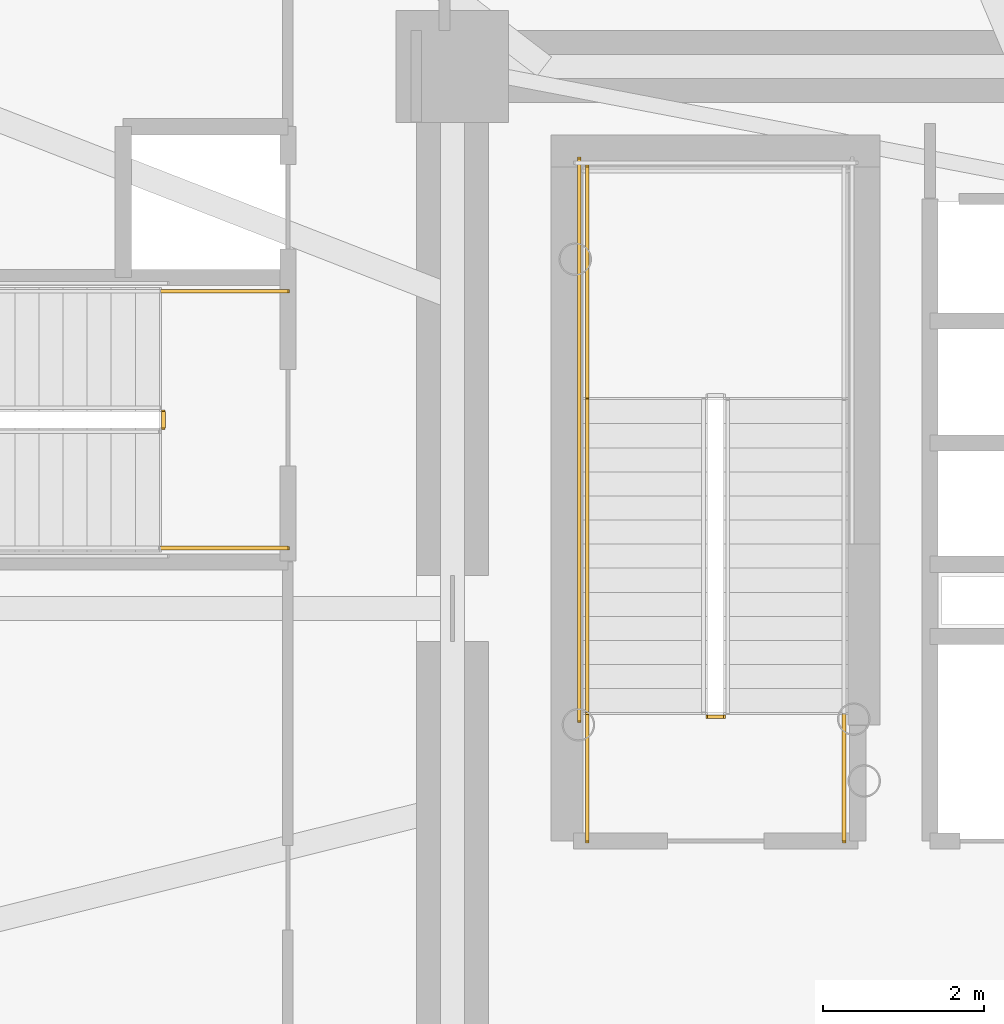
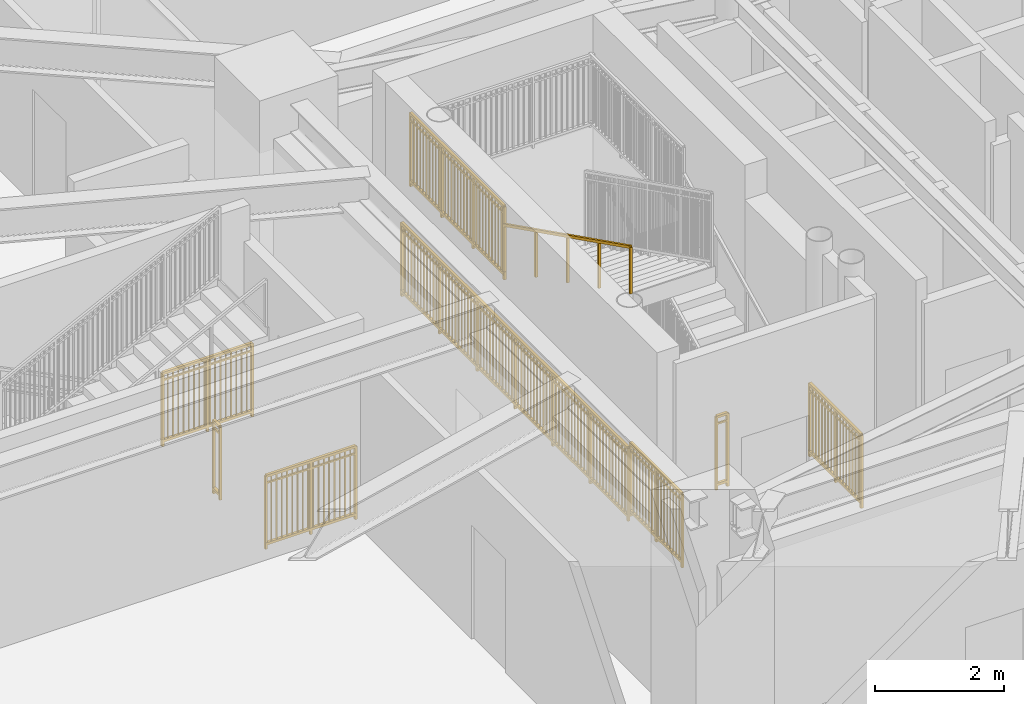
# One storey, part 20 of 28: 9 railings.
"""IFC4 building model written with IfcOpenShell, lengths in metres."""

from ifc_helpers import new_model, si_unit, direction, frame, origin, origin_2d, place, context, subcontext, project, spatial, rectangle, extrude, source, transform, mapped, material, type_object, element, save


model = new_model("IFC4")

# Units and contexts
model_context = context("Model", 3, precision=1e-05, world=origin(), true_north=direction((0.0, 1.0)))
body_context = subcontext(model_context, "Body", "Model", "MODEL_VIEW")
ifc_project = project(units=[si_unit("LENGTHUNIT", "METRE"), si_unit("AREAUNIT", "SQUARE_METRE"), si_unit("VOLUMEUNIT", "CUBIC_METRE"), si_unit("PLANEANGLEUNIT", "RADIAN"), si_unit("MASSUNIT", "GRAM", prefix="KILO")], contexts=[model_context])

# Site, building, storey
site_placement = place(None, origin())
site = spatial("IfcSite", under=ifc_project, at=site_placement, CompositionType="ELEMENT")
building_placement = place(site_placement, origin())
building = spatial("IfcBuilding", under=site, at=building_placement, Name="Linh Dai School and Residence Tower", CompositionType="ELEMENT")
storey_placement = place(building_placement, frame((0.0, 0.0, 36.60009765625)))
storey = spatial("IfcBuildingStorey", under=building, at=storey_placement, Name="L08", CompositionType="ELEMENT", Elevation=36.60009765625)

# Railings
ifc_material_1 = material(Name="Structural Steel S355JR", Category="steel")
railing_type_1 = type_object("IfcRailingType", Name="RL-ST-GUARD-1400", PredefinedType="GUARDRAIL", material=ifc_material_1)
shared_shape_1 = source(origin(), body_context, "Body", "SweptSolid", [
    extrude(rectangle(XDim=0.048095703125, YDim=0.048095703125, at=origin_2d()), frame((0.0, 0.0, 1.3759765625), z_axis=(-1.0, 0.0, 0.0), x_axis=(0.0, -1.0, 0.0)), (0.0, 0.0, 1.0), 0.199951171875),
    extrude(rectangle(XDim=0.048095703125, YDim=0.048095703125, at=origin_2d()), frame((0.0, 0.0, 0.10009765625), z_axis=(-1.0, 0.0, 0.0), x_axis=(0.0, -1.0, 0.0)), (0.0, 0.0, 1.0), 0.199951171875),
    extrude(rectangle(XDim=0.030029296875, YDim=0.030029296875, at=origin_2d()), frame((0.0, 0.0, 1.239990234375), z_axis=(-1.0, 0.0, 0.0), x_axis=(0.0, -1.0, 0.0)), (0.0, 0.0, 1.0), 0.199951171875),
    extrude(rectangle(XDim=0.0419921875, YDim=0.0419921875, at=origin_2d()), origin(), (0.0, 0.0, 1.0), 1.3759765625),
    extrude(rectangle(XDim=0.0419921875, YDim=0.0419921875, at=origin_2d()), frame((-0.199951171875, 0.0, 0.0)), (0.0, 0.0, 1.0), 1.3759765625),
])
railing_1_placement = place(storey_placement, frame((29.429931640625, 25.64990234375, 0.0)))
element("IfcRailing", 1, at=railing_1_placement, inside=storey, type_object=railing_type_1, Name="L08 ST1 stair guard 7", PredefinedType="GUARDRAIL", context=body_context, shape_type="MappedRepresentation", body=[
    mapped(shared_shape_1, transform((0.0, 0.0, 0.0), x_axis=(1.0, 0.0, 0.0), y_axis=(0.0, 1.0, 0.0), z_axis=(0.0, 0.0, 1.0), scale=1.0)),
])
shared_shape_2 = source(origin(), body_context, "Body", "SweptSolid", [
    extrude(rectangle(XDim=0.048095703125, YDim=0.048095703125, at=origin_2d()), frame((0.0, 0.0, 1.3759765625), z_axis=(0.0, 1.0, 0.0), x_axis=(-1.0, 0.0, 0.0)), (0.0, 0.0, 1.0), 1.599853515625),
    extrude(rectangle(XDim=0.048095703125, YDim=0.048095703125, at=origin_2d()), frame((0.0, 0.0, 0.10009765625), z_axis=(0.0, 1.0, 0.0), x_axis=(-1.0, 0.0, 0.0)), (0.0, 0.0, 1.0), 1.599853515625),
    extrude(rectangle(XDim=0.030029296875, YDim=0.030029296875, at=origin_2d()), frame((0.0, 0.0, 1.239990234375), z_axis=(0.0, 1.0, 0.0), x_axis=(-1.0, 0.0, 0.0)), (0.0, 0.0, 1.0), 1.599853515625),
    extrude(rectangle(XDim=0.02001953125, YDim=0.02001953125, at=origin_2d()), frame((0.0, 0.093994140625, 0.10009765625)), (0.0, 0.0, 1.0), 1.251708984375),
    extrude(rectangle(XDim=0.02001953125, YDim=0.02001953125, at=origin_2d()), frame((0.0, 0.188232421875, 0.10009765625)), (0.0, 0.0, 1.0), 1.251708984375),
    extrude(rectangle(XDim=0.02001953125, YDim=0.02001953125, at=origin_2d()), frame((0.0, 0.2822265625, 0.10009765625)), (0.0, 0.0, 1.0), 1.251708984375),
    extrude(rectangle(XDim=0.02001953125, YDim=0.02001953125, at=origin_2d()), frame((0.0, 0.37646484375, 0.10009765625)), (0.0, 0.0, 1.0), 1.251708984375),
    extrude(rectangle(XDim=0.02001953125, YDim=0.02001953125, at=origin_2d()), frame((0.0, 0.470458984375, 0.10009765625)), (0.0, 0.0, 1.0), 1.251708984375),
    extrude(rectangle(XDim=0.02001953125, YDim=0.02001953125, at=origin_2d()), frame((0.0, 0.564697265625, 0.10009765625)), (0.0, 0.0, 1.0), 1.251708984375),
    extrude(rectangle(XDim=0.02001953125, YDim=0.02001953125, at=origin_2d()), frame((0.0, 0.65869140625, 0.10009765625)), (0.0, 0.0, 1.0), 1.251708984375),
    extrude(rectangle(XDim=0.02001953125, YDim=0.02001953125, at=origin_2d()), frame((0.0, 0.7529296875, 0.10009765625)), (0.0, 0.0, 1.0), 1.251708984375),
    extrude(rectangle(XDim=0.02001953125, YDim=0.02001953125, at=origin_2d()), frame((0.0, 0.846923828125, 0.10009765625)), (0.0, 0.0, 1.0), 1.251708984375),
    extrude(rectangle(XDim=0.02001953125, YDim=0.02001953125, at=origin_2d()), frame((0.0, 0.941162109375, 0.10009765625)), (0.0, 0.0, 1.0), 1.251708984375),
    extrude(rectangle(XDim=0.02001953125, YDim=0.02001953125, at=origin_2d()), frame((0.0, 1.03515625, 0.10009765625)), (0.0, 0.0, 1.0), 1.251708984375),
    extrude(rectangle(XDim=0.02001953125, YDim=0.02001953125, at=origin_2d()), frame((0.0, 1.12939453125, 0.10009765625)), (0.0, 0.0, 1.0), 1.251708984375),
    extrude(rectangle(XDim=0.02001953125, YDim=0.02001953125, at=origin_2d()), frame((0.0, 1.223388671875, 0.10009765625)), (0.0, 0.0, 1.0), 1.251708984375),
    extrude(rectangle(XDim=0.02001953125, YDim=0.02001953125, at=origin_2d()), frame((0.0, 1.317626953125, 0.10009765625)), (0.0, 0.0, 1.0), 1.251708984375),
    extrude(rectangle(XDim=0.02001953125, YDim=0.02001953125, at=origin_2d()), frame((0.0, 1.41162109375, 0.10009765625)), (0.0, 0.0, 1.0), 1.251708984375),
    extrude(rectangle(XDim=0.02001953125, YDim=0.02001953125, at=origin_2d()), frame((0.0, 1.505859375, 0.10009765625)), (0.0, 0.0, 1.0), 1.251708984375),
    extrude(rectangle(XDim=0.0419921875, YDim=0.0419921875, at=origin_2d()), origin(), (0.0, 0.0, 1.0), 1.3759765625),
    extrude(rectangle(XDim=0.0419921875, YDim=0.0419921875, at=origin_2d()), frame((0.0, 0.7998046875, 0.0)), (0.0, 0.0, 1.0), 1.3759765625),
    extrude(rectangle(XDim=0.0419921875, YDim=0.0419921875, at=origin_2d()), frame((0.0, 1.599853515625, 0.0)), (0.0, 0.0, 1.0), 1.3759765625),
])
for number, where, name in (
    (2, (30.929931640625, 24.10009765625, 0.0), "L08 ST1 stair guard 8"),
    (3, (27.72998046875, 24.10009765625, 0.0), "L08 ST1 stair guard 9"),
):
    element("IfcRailing", number, at=place(storey_placement, frame(where)), inside=storey, type_object=railing_type_1, Name=name, PredefinedType="GUARDRAIL", context=body_context, shape_type="MappedRepresentation", body=[
        mapped(shared_shape_2, transform((0.0, 0.0, 0.0), x_axis=(1.0, 0.0, 0.0), y_axis=(0.0, 1.0, 0.0), z_axis=(0.0, 0.0, 1.0), scale=1.0)),
    ])
shared_shape_3 = source(origin(), body_context, "Body", "SweptSolid", [
    extrude(rectangle(XDim=0.048095703125, YDim=0.048095703125, at=origin_2d()), frame((0.0, 0.0, 1.3759765625), z_axis=(0.0, 1.0, 0.0), x_axis=(-1.0, 0.0, 0.0)), (0.0, 0.0, 1.0), 7.0),
    extrude(rectangle(XDim=0.048095703125, YDim=0.048095703125, at=origin_2d()), frame((0.0, 0.0, 0.10009765625), z_axis=(0.0, 1.0, 0.0), x_axis=(-1.0, 0.0, 0.0)), (0.0, 0.0, 1.0), 7.0),
    extrude(rectangle(XDim=0.030029296875, YDim=0.030029296875, at=origin_2d()), frame((0.0, 0.0, 1.239990234375), z_axis=(0.0, 1.0, 0.0), x_axis=(-1.0, 0.0, 0.0)), (0.0, 0.0, 1.0), 7.0),
    extrude(rectangle(XDim=0.02001953125, YDim=0.02001953125, at=origin_2d()), frame((0.0, 0.09716796875, 0.10009765625)), (0.0, 0.0, 1.0), 1.251708984375),
    extrude(rectangle(XDim=0.02001953125, YDim=0.02001953125, at=origin_2d()), frame((0.0, 0.1943359375, 0.10009765625)), (0.0, 0.0, 1.0), 1.251708984375),
    extrude(rectangle(XDim=0.02001953125, YDim=0.02001953125, at=origin_2d()), frame((0.0, 0.291748046875, 0.10009765625)), (0.0, 0.0, 1.0), 1.251708984375),
    extrude(rectangle(XDim=0.02001953125, YDim=0.02001953125, at=origin_2d()), frame((0.0, 0.388916015625, 0.10009765625)), (0.0, 0.0, 1.0), 1.251708984375),
    extrude(rectangle(XDim=0.02001953125, YDim=0.02001953125, at=origin_2d()), frame((0.0, 0.486083984375, 0.10009765625)), (0.0, 0.0, 1.0), 1.251708984375),
    extrude(rectangle(XDim=0.02001953125, YDim=0.02001953125, at=origin_2d()), frame((0.0, 0.583251953125, 0.10009765625)), (0.0, 0.0, 1.0), 1.251708984375),
    extrude(rectangle(XDim=0.02001953125, YDim=0.02001953125, at=origin_2d()), frame((0.0, 0.6806640625, 0.10009765625)), (0.0, 0.0, 1.0), 1.251708984375),
    extrude(rectangle(XDim=0.02001953125, YDim=0.02001953125, at=origin_2d()), frame((0.0, 0.77783203125, 0.10009765625)), (0.0, 0.0, 1.0), 1.251708984375),
    extrude(rectangle(XDim=0.02001953125, YDim=0.02001953125, at=origin_2d()), frame((0.0, 0.875, 0.10009765625)), (0.0, 0.0, 1.0), 1.251708984375),
    extrude(rectangle(XDim=0.02001953125, YDim=0.02001953125, at=origin_2d()), frame((0.0, 0.97216796875, 0.10009765625)), (0.0, 0.0, 1.0), 1.251708984375),
    extrude(rectangle(XDim=0.02001953125, YDim=0.02001953125, at=origin_2d()), frame((0.0, 1.0693359375, 0.10009765625)), (0.0, 0.0, 1.0), 1.251708984375),
    extrude(rectangle(XDim=0.02001953125, YDim=0.02001953125, at=origin_2d()), frame((0.0, 1.263916015625, 0.10009765625)), (0.0, 0.0, 1.0), 1.251708984375),
    extrude(rectangle(XDim=0.02001953125, YDim=0.02001953125, at=origin_2d()), frame((0.0, 1.361083984375, 0.10009765625)), (0.0, 0.0, 1.0), 1.251708984375),
    extrude(rectangle(XDim=0.02001953125, YDim=0.02001953125, at=origin_2d()), frame((0.0, 1.458251953125, 0.10009765625)), (0.0, 0.0, 1.0), 1.251708984375),
    extrude(rectangle(XDim=0.02001953125, YDim=0.02001953125, at=origin_2d()), frame((0.0, 1.5556640625, 0.10009765625)), (0.0, 0.0, 1.0), 1.251708984375),
    extrude(rectangle(XDim=0.02001953125, YDim=0.02001953125, at=origin_2d()), frame((0.0, 1.65283203125, 0.10009765625)), (0.0, 0.0, 1.0), 1.251708984375),
    extrude(rectangle(XDim=0.02001953125, YDim=0.02001953125, at=origin_2d()), frame((0.0, 1.75, 0.10009765625)), (0.0, 0.0, 1.0), 1.251708984375),
    extrude(rectangle(XDim=0.02001953125, YDim=0.02001953125, at=origin_2d()), frame((0.0, 1.84716796875, 0.10009765625)), (0.0, 0.0, 1.0), 1.251708984375),
    extrude(rectangle(XDim=0.02001953125, YDim=0.02001953125, at=origin_2d()), frame((0.0, 1.9443359375, 0.10009765625)), (0.0, 0.0, 1.0), 1.251708984375),
    extrude(rectangle(XDim=0.02001953125, YDim=0.02001953125, at=origin_2d()), frame((0.0, 2.041748046875, 0.10009765625)), (0.0, 0.0, 1.0), 1.251708984375),
    extrude(rectangle(XDim=0.02001953125, YDim=0.02001953125, at=origin_2d()), frame((0.0, 2.138916015625, 0.10009765625)), (0.0, 0.0, 1.0), 1.251708984375),
    extrude(rectangle(XDim=0.02001953125, YDim=0.02001953125, at=origin_2d()), frame((0.0, 2.236083984375, 0.10009765625)), (0.0, 0.0, 1.0), 1.251708984375),
    extrude(rectangle(XDim=0.02001953125, YDim=0.02001953125, at=origin_2d()), frame((0.0, 2.4306640625, 0.10009765625)), (0.0, 0.0, 1.0), 1.251708984375),
    extrude(rectangle(XDim=0.02001953125, YDim=0.02001953125, at=origin_2d()), frame((0.0, 2.52783203125, 0.10009765625)), (0.0, 0.0, 1.0), 1.251708984375),
    extrude(rectangle(XDim=0.02001953125, YDim=0.02001953125, at=origin_2d()), frame((0.0, 2.625, 0.10009765625)), (0.0, 0.0, 1.0), 1.251708984375),
    extrude(rectangle(XDim=0.02001953125, YDim=0.02001953125, at=origin_2d()), frame((0.0, 2.72216796875, 0.10009765625)), (0.0, 0.0, 1.0), 1.251708984375),
    extrude(rectangle(XDim=0.02001953125, YDim=0.02001953125, at=origin_2d()), frame((0.0, 2.8193359375, 0.10009765625)), (0.0, 0.0, 1.0), 1.251708984375),
    extrude(rectangle(XDim=0.02001953125, YDim=0.02001953125, at=origin_2d()), frame((0.0, 2.916748046875, 0.10009765625)), (0.0, 0.0, 1.0), 1.251708984375),
    extrude(rectangle(XDim=0.02001953125, YDim=0.02001953125, at=origin_2d()), frame((0.0, 3.013916015625, 0.10009765625)), (0.0, 0.0, 1.0), 1.251708984375),
    extrude(rectangle(XDim=0.02001953125, YDim=0.02001953125, at=origin_2d()), frame((0.0, 3.111083984375, 0.10009765625)), (0.0, 0.0, 1.0), 1.251708984375),
    extrude(rectangle(XDim=0.02001953125, YDim=0.02001953125, at=origin_2d()), frame((0.0, 3.208251953125, 0.10009765625)), (0.0, 0.0, 1.0), 1.251708984375),
    extrude(rectangle(XDim=0.02001953125, YDim=0.02001953125, at=origin_2d()), frame((0.0, 3.3056640625, 0.10009765625)), (0.0, 0.0, 1.0), 1.251708984375),
    extrude(rectangle(XDim=0.02001953125, YDim=0.02001953125, at=origin_2d()), frame((0.0, 3.40283203125, 0.10009765625)), (0.0, 0.0, 1.0), 1.251708984375),
    extrude(rectangle(XDim=0.02001953125, YDim=0.02001953125, at=origin_2d()), frame((0.0, 3.59716796875, 0.10009765625)), (0.0, 0.0, 1.0), 1.251708984375),
    extrude(rectangle(XDim=0.02001953125, YDim=0.02001953125, at=origin_2d()), frame((0.0, 3.6943359375, 0.10009765625)), (0.0, 0.0, 1.0), 1.251708984375),
    extrude(rectangle(XDim=0.02001953125, YDim=0.02001953125, at=origin_2d()), frame((0.0, 3.791748046875, 0.10009765625)), (0.0, 0.0, 1.0), 1.251708984375),
    extrude(rectangle(XDim=0.02001953125, YDim=0.02001953125, at=origin_2d()), frame((0.0, 3.888916015625, 0.10009765625)), (0.0, 0.0, 1.0), 1.251708984375),
    extrude(rectangle(XDim=0.02001953125, YDim=0.02001953125, at=origin_2d()), frame((0.0, 3.986083984375, 0.10009765625)), (0.0, 0.0, 1.0), 1.251708984375),
    extrude(rectangle(XDim=0.02001953125, YDim=0.02001953125, at=origin_2d()), frame((0.0, 4.083251953125, 0.10009765625)), (0.0, 0.0, 1.0), 1.251708984375),
    extrude(rectangle(XDim=0.02001953125, YDim=0.02001953125, at=origin_2d()), frame((0.0, 4.1806640625, 0.10009765625)), (0.0, 0.0, 1.0), 1.251708984375),
    extrude(rectangle(XDim=0.02001953125, YDim=0.02001953125, at=origin_2d()), frame((0.0, 4.27783203125, 0.10009765625)), (0.0, 0.0, 1.0), 1.251708984375),
    extrude(rectangle(XDim=0.02001953125, YDim=0.02001953125, at=origin_2d()), frame((0.0, 4.375, 0.10009765625)), (0.0, 0.0, 1.0), 1.251708984375),
    extrude(rectangle(XDim=0.02001953125, YDim=0.02001953125, at=origin_2d()), frame((0.0, 4.47216796875, 0.10009765625)), (0.0, 0.0, 1.0), 1.251708984375),
    extrude(rectangle(XDim=0.02001953125, YDim=0.02001953125, at=origin_2d()), frame((0.0, 4.5693359375, 0.10009765625)), (0.0, 0.0, 1.0), 1.251708984375),
    extrude(rectangle(XDim=0.02001953125, YDim=0.02001953125, at=origin_2d()), frame((0.0, 4.763916015625, 0.10009765625)), (0.0, 0.0, 1.0), 1.251708984375),
    extrude(rectangle(XDim=0.02001953125, YDim=0.02001953125, at=origin_2d()), frame((0.0, 4.861083984375, 0.10009765625)), (0.0, 0.0, 1.0), 1.251708984375),
    extrude(rectangle(XDim=0.02001953125, YDim=0.02001953125, at=origin_2d()), frame((0.0, 4.958251953125, 0.10009765625)), (0.0, 0.0, 1.0), 1.251708984375),
    extrude(rectangle(XDim=0.02001953125, YDim=0.02001953125, at=origin_2d()), frame((0.0, 5.0556640625, 0.10009765625)), (0.0, 0.0, 1.0), 1.251708984375),
    extrude(rectangle(XDim=0.02001953125, YDim=0.02001953125, at=origin_2d()), frame((0.0, 5.15283203125, 0.10009765625)), (0.0, 0.0, 1.0), 1.251708984375),
    extrude(rectangle(XDim=0.02001953125, YDim=0.02001953125, at=origin_2d()), frame((0.0, 5.25, 0.10009765625)), (0.0, 0.0, 1.0), 1.251708984375),
    extrude(rectangle(XDim=0.02001953125, YDim=0.02001953125, at=origin_2d()), frame((0.0, 5.34716796875, 0.10009765625)), (0.0, 0.0, 1.0), 1.251708984375),
    extrude(rectangle(XDim=0.02001953125, YDim=0.02001953125, at=origin_2d()), frame((0.0, 5.4443359375, 0.10009765625)), (0.0, 0.0, 1.0), 1.251708984375),
    extrude(rectangle(XDim=0.02001953125, YDim=0.02001953125, at=origin_2d()), frame((0.0, 5.541748046875, 0.10009765625)), (0.0, 0.0, 1.0), 1.251708984375),
    extrude(rectangle(XDim=0.02001953125, YDim=0.02001953125, at=origin_2d()), frame((0.0, 5.638916015625, 0.10009765625)), (0.0, 0.0, 1.0), 1.251708984375),
    extrude(rectangle(XDim=0.02001953125, YDim=0.02001953125, at=origin_2d()), frame((0.0, 5.736083984375, 0.10009765625)), (0.0, 0.0, 1.0), 1.251708984375),
    extrude(rectangle(XDim=0.02001953125, YDim=0.02001953125, at=origin_2d()), frame((0.0, 5.9306640625, 0.10009765625)), (0.0, 0.0, 1.0), 1.251708984375),
    extrude(rectangle(XDim=0.02001953125, YDim=0.02001953125, at=origin_2d()), frame((0.0, 6.02783203125, 0.10009765625)), (0.0, 0.0, 1.0), 1.251708984375),
    extrude(rectangle(XDim=0.02001953125, YDim=0.02001953125, at=origin_2d()), frame((0.0, 6.125, 0.10009765625)), (0.0, 0.0, 1.0), 1.251708984375),
    extrude(rectangle(XDim=0.02001953125, YDim=0.02001953125, at=origin_2d()), frame((0.0, 6.22216796875, 0.10009765625)), (0.0, 0.0, 1.0), 1.251708984375),
    extrude(rectangle(XDim=0.02001953125, YDim=0.02001953125, at=origin_2d()), frame((0.0, 6.3193359375, 0.10009765625)), (0.0, 0.0, 1.0), 1.251708984375),
    extrude(rectangle(XDim=0.02001953125, YDim=0.02001953125, at=origin_2d()), frame((0.0, 6.416748046875, 0.10009765625)), (0.0, 0.0, 1.0), 1.251708984375),
    extrude(rectangle(XDim=0.02001953125, YDim=0.02001953125, at=origin_2d()), frame((0.0, 6.513916015625, 0.10009765625)), (0.0, 0.0, 1.0), 1.251708984375),
    extrude(rectangle(XDim=0.02001953125, YDim=0.02001953125, at=origin_2d()), frame((0.0, 6.611083984375, 0.10009765625)), (0.0, 0.0, 1.0), 1.251708984375),
    extrude(rectangle(XDim=0.02001953125, YDim=0.02001953125, at=origin_2d()), frame((0.0, 6.708251953125, 0.10009765625)), (0.0, 0.0, 1.0), 1.251708984375),
    extrude(rectangle(XDim=0.02001953125, YDim=0.02001953125, at=origin_2d()), frame((0.0, 6.8056640625, 0.10009765625)), (0.0, 0.0, 1.0), 1.251708984375),
    extrude(rectangle(XDim=0.02001953125, YDim=0.02001953125, at=origin_2d()), frame((0.0, 6.90283203125, 0.10009765625)), (0.0, 0.0, 1.0), 1.251708984375),
    extrude(rectangle(XDim=0.0419921875, YDim=0.0419921875, at=origin_2d()), origin(), (0.0, 0.0, 1.0), 1.3759765625),
    extrude(rectangle(XDim=0.0419921875, YDim=0.0419921875, at=origin_2d()), frame((0.0, 1.166748046875, 0.0)), (0.0, 0.0, 1.0), 1.3759765625),
    extrude(rectangle(XDim=0.0419921875, YDim=0.0419921875, at=origin_2d()), frame((0.0, 2.333251953125, 0.0)), (0.0, 0.0, 1.0), 1.3759765625),
    extrude(rectangle(XDim=0.0419921875, YDim=0.0419921875, at=origin_2d()), frame((0.0, 3.5, 0.0)), (0.0, 0.0, 1.0), 1.3759765625),
    extrude(rectangle(XDim=0.0419921875, YDim=0.0419921875, at=origin_2d()), frame((0.0, 4.666748046875, 0.0)), (0.0, 0.0, 1.0), 1.3759765625),
    extrude(rectangle(XDim=0.0419921875, YDim=0.0419921875, at=origin_2d()), frame((0.0, 5.833251953125, 0.0)), (0.0, 0.0, 1.0), 1.3759765625),
    extrude(rectangle(XDim=0.0419921875, YDim=0.0419921875, at=origin_2d()), frame((0.0, 7.0, 0.0)), (0.0, 0.0, 1.0), 1.3759765625),
])
railing_2_placement = place(storey_placement, frame((27.6298828125, 25.60009765625, 0.0)))
element("IfcRailing", 4, at=railing_2_placement, inside=storey, type_object=railing_type_1, Name="L08 ST1 stair guard 11", PredefinedType="GUARDRAIL", context=body_context, shape_type="MappedRepresentation", body=[
    mapped(shared_shape_3, transform((0.0, 0.0, 0.0), x_axis=(1.0, 0.0, 0.0), y_axis=(0.0, 1.0, 0.0), z_axis=(0.0, 0.0, 1.0), scale=1.0)),
])
shared_shape_4 = source(origin(), body_context, "Body", "SweptSolid", [
    extrude(rectangle(XDim=0.048095703125, YDim=0.048095703125, at=origin_2d()), frame((0.0, 0.0, 1.3759765625), z_axis=(0.0, 1.0, 0.0), x_axis=(-1.0, 0.0, 0.0)), (0.0, 0.0, 1.0), 2.89990234375),
    extrude(rectangle(XDim=0.048095703125, YDim=0.048095703125, at=origin_2d()), frame((0.0, 0.0, 0.10009765625), z_axis=(0.0, 1.0, 0.0), x_axis=(-1.0, 0.0, 0.0)), (0.0, 0.0, 1.0), 2.89990234375),
    extrude(rectangle(XDim=0.030029296875, YDim=0.030029296875, at=origin_2d()), frame((0.0, 0.0, 1.239990234375), z_axis=(0.0, 1.0, 0.0), x_axis=(-1.0, 0.0, 0.0)), (0.0, 0.0, 1.0), 2.89990234375),
    extrude(rectangle(XDim=0.02001953125, YDim=0.02001953125, at=origin_2d()), frame((0.0, 0.0966796875, 0.10009765625)), (0.0, 0.0, 1.0), 1.251708984375),
    extrude(rectangle(XDim=0.02001953125, YDim=0.02001953125, at=origin_2d()), frame((0.0, 0.193359375, 0.10009765625)), (0.0, 0.0, 1.0), 1.251708984375),
    extrude(rectangle(XDim=0.02001953125, YDim=0.02001953125, at=origin_2d()), frame((0.0, 0.2900390625, 0.10009765625)), (0.0, 0.0, 1.0), 1.251708984375),
    extrude(rectangle(XDim=0.02001953125, YDim=0.02001953125, at=origin_2d()), frame((0.0, 0.38671875, 0.10009765625)), (0.0, 0.0, 1.0), 1.251708984375),
    extrude(rectangle(XDim=0.02001953125, YDim=0.02001953125, at=origin_2d()), frame((0.0, 0.4833984375, 0.10009765625)), (0.0, 0.0, 1.0), 1.251708984375),
    extrude(rectangle(XDim=0.02001953125, YDim=0.02001953125, at=origin_2d()), frame((0.0, 0.580078125, 0.10009765625)), (0.0, 0.0, 1.0), 1.251708984375),
    extrude(rectangle(XDim=0.02001953125, YDim=0.02001953125, at=origin_2d()), frame((0.0, 0.6767578125, 0.10009765625)), (0.0, 0.0, 1.0), 1.251708984375),
    extrude(rectangle(XDim=0.02001953125, YDim=0.02001953125, at=origin_2d()), frame((0.0, 0.773193359375, 0.10009765625)), (0.0, 0.0, 1.0), 1.251708984375),
    extrude(rectangle(XDim=0.02001953125, YDim=0.02001953125, at=origin_2d()), frame((0.0, 0.869873046875, 0.10009765625)), (0.0, 0.0, 1.0), 1.251708984375),
    extrude(rectangle(XDim=0.02001953125, YDim=0.02001953125, at=origin_2d()), frame((0.0, 1.063232421875, 0.10009765625)), (0.0, 0.0, 1.0), 1.251708984375),
    extrude(rectangle(XDim=0.02001953125, YDim=0.02001953125, at=origin_2d()), frame((0.0, 1.159912109375, 0.10009765625)), (0.0, 0.0, 1.0), 1.251708984375),
    extrude(rectangle(XDim=0.02001953125, YDim=0.02001953125, at=origin_2d()), frame((0.0, 1.256591796875, 0.10009765625)), (0.0, 0.0, 1.0), 1.251708984375),
    extrude(rectangle(XDim=0.02001953125, YDim=0.02001953125, at=origin_2d()), frame((0.0, 1.353271484375, 0.10009765625)), (0.0, 0.0, 1.0), 1.251708984375),
    extrude(rectangle(XDim=0.02001953125, YDim=0.02001953125, at=origin_2d()), frame((0.0, 1.449951171875, 0.10009765625)), (0.0, 0.0, 1.0), 1.251708984375),
    extrude(rectangle(XDim=0.02001953125, YDim=0.02001953125, at=origin_2d()), frame((0.0, 1.546630859375, 0.10009765625)), (0.0, 0.0, 1.0), 1.251708984375),
    extrude(rectangle(XDim=0.02001953125, YDim=0.02001953125, at=origin_2d()), frame((0.0, 1.643310546875, 0.10009765625)), (0.0, 0.0, 1.0), 1.251708984375),
    extrude(rectangle(XDim=0.02001953125, YDim=0.02001953125, at=origin_2d()), frame((0.0, 1.739990234375, 0.10009765625)), (0.0, 0.0, 1.0), 1.251708984375),
    extrude(rectangle(XDim=0.02001953125, YDim=0.02001953125, at=origin_2d()), frame((0.0, 1.836669921875, 0.10009765625)), (0.0, 0.0, 1.0), 1.251708984375),
    extrude(rectangle(XDim=0.02001953125, YDim=0.02001953125, at=origin_2d()), frame((0.0, 2.030029296875, 0.10009765625)), (0.0, 0.0, 1.0), 1.251708984375),
    extrude(rectangle(XDim=0.02001953125, YDim=0.02001953125, at=origin_2d()), frame((0.0, 2.126708984375, 0.10009765625)), (0.0, 0.0, 1.0), 1.251708984375),
    extrude(rectangle(XDim=0.02001953125, YDim=0.02001953125, at=origin_2d()), frame((0.0, 2.22314453125, 0.10009765625)), (0.0, 0.0, 1.0), 1.251708984375),
    extrude(rectangle(XDim=0.02001953125, YDim=0.02001953125, at=origin_2d()), frame((0.0, 2.31982421875, 0.10009765625)), (0.0, 0.0, 1.0), 1.251708984375),
    extrude(rectangle(XDim=0.02001953125, YDim=0.02001953125, at=origin_2d()), frame((0.0, 2.41650390625, 0.10009765625)), (0.0, 0.0, 1.0), 1.251708984375),
    extrude(rectangle(XDim=0.02001953125, YDim=0.02001953125, at=origin_2d()), frame((0.0, 2.51318359375, 0.10009765625)), (0.0, 0.0, 1.0), 1.251708984375),
    extrude(rectangle(XDim=0.02001953125, YDim=0.02001953125, at=origin_2d()), frame((0.0, 2.60986328125, 0.10009765625)), (0.0, 0.0, 1.0), 1.251708984375),
    extrude(rectangle(XDim=0.02001953125, YDim=0.02001953125, at=origin_2d()), frame((0.0, 2.70654296875, 0.10009765625)), (0.0, 0.0, 1.0), 1.251708984375),
    extrude(rectangle(XDim=0.02001953125, YDim=0.02001953125, at=origin_2d()), frame((0.0, 2.80322265625, 0.10009765625)), (0.0, 0.0, 1.0), 1.251708984375),
    extrude(rectangle(XDim=0.0419921875, YDim=0.0419921875, at=origin_2d()), origin(), (0.0, 0.0, 1.0), 1.3759765625),
    extrude(rectangle(XDim=0.0419921875, YDim=0.0419921875, at=origin_2d()), frame((0.0, 0.966552734375, 0.0)), (0.0, 0.0, 1.0), 1.3759765625),
    extrude(rectangle(XDim=0.0419921875, YDim=0.0419921875, at=origin_2d()), frame((0.0, 1.933349609375, 0.0)), (0.0, 0.0, 1.0), 1.3759765625),
    extrude(rectangle(XDim=0.0419921875, YDim=0.0419921875, at=origin_2d()), frame((0.0, 2.89990234375, 0.0)), (0.0, 0.0, 1.0), 1.3759765625),
])
railing_3_placement = place(storey_placement, frame((27.72998046875, 29.60009765625, 2.099853515625)))
element("IfcRailing", 5, at=railing_3_placement, inside=storey, type_object=railing_type_1, Name="L08 ST1 stair guard 4", PredefinedType="GUARDRAIL", context=body_context, shape_type="MappedRepresentation", body=[
    mapped(shared_shape_4, transform((0.0, 0.0, 0.0), x_axis=(1.0, 0.0, 0.0), y_axis=(0.0, 1.0, 0.0), z_axis=(0.0, 0.0, 1.0), scale=1.0)),
])
ifc_material_2 = material(Name="Brushed Stainless Steel Handrail", Category="steel")
railing_type_2 = type_object("IfcRailingType", Name="RL-ST-HANDRAIL-900", PredefinedType="HANDRAIL", material=ifc_material_2)
shared_shape_5 = source(origin(), body_context, "Body", "SweptSolid", [
    extrude(rectangle(XDim=0.048095703125, YDim=0.048095703125, at=origin_2d()), frame((0.0, 0.0, 0.8759765625), z_axis=(0.0, -0.894438388696, 0.447191199406), x_axis=(1.0, 0.0, 0.0)), (0.0, 0.0, 1.0), 4.3603515625),
    extrude(rectangle(XDim=0.0419921875, YDim=0.0419921875, at=origin_2d()), origin(), (0.0, 0.0, 1.0), 0.8759765625),
    extrude(rectangle(XDim=0.0419921875, YDim=0.0419921875, at=origin_2d()), frame((0.0, -0.97509765625, 0.487548828125)), (0.0, 0.0, 1.0), 0.8759765625),
    extrude(rectangle(XDim=0.0419921875, YDim=0.0419921875, at=origin_2d()), frame((0.0, -1.9501953125, 0.97509765625)), (0.0, 0.0, 1.0), 0.8759765625),
    extrude(rectangle(XDim=0.0419921875, YDim=0.0419921875, at=origin_2d()), frame((0.0, -2.925048828125, 1.46240234375)), (0.0, 0.0, 1.0), 0.8759765625),
    extrude(rectangle(XDim=0.0419921875, YDim=0.0419921875, at=origin_2d()), frame((0.0, -3.900146484375, 1.949951171875)), (0.0, 0.0, 1.0), 0.8759765625),
])
railing_4_placement = place(storey_placement, frame((27.72998046875, 29.60009765625, 2.25)))
element("IfcRailing", 6, at=railing_4_placement, inside=storey, type_object=railing_type_2, Name="L08 ST1 stair handrail 2", PredefinedType="HANDRAIL", context=body_context, shape_type="MappedRepresentation", body=[
    mapped(shared_shape_5, transform((0.0, 0.0, 0.0), x_axis=(1.0, 0.0, 0.0), y_axis=(0.0, 1.0, 0.0), z_axis=(0.0, 0.0, 1.0), scale=1.0)),
])
shared_shape_6 = source(origin(), body_context, "Body", "SweptSolid", [
    extrude(rectangle(XDim=0.048095703125, YDim=0.048095703125, at=origin_2d()), frame((0.0, 0.0, 1.3759765625), z_axis=(0.0, -1.0, 0.0), x_axis=(1.0, 0.0, 0.0)), (0.0, 0.0, 1.0), 0.199951171875),
    extrude(rectangle(XDim=0.048095703125, YDim=0.048095703125, at=origin_2d()), frame((0.0, 0.0, 0.10009765625), z_axis=(0.0, -1.0, 0.0), x_axis=(1.0, 0.0, 0.0)), (0.0, 0.0, 1.0), 0.199951171875),
    extrude(rectangle(XDim=0.030029296875, YDim=0.030029296875, at=origin_2d()), frame((0.0, 0.0, 1.239990234375), z_axis=(0.0, -1.0, 0.0), x_axis=(1.0, 0.0, 0.0)), (0.0, 0.0, 1.0), 0.199951171875),
    extrude(rectangle(XDim=0.0419921875, YDim=0.0419921875, at=origin_2d()), origin(), (0.0, 0.0, 1.0), 1.3759765625),
    extrude(rectangle(XDim=0.0419921875, YDim=0.0419921875, at=origin_2d()), frame((0.0, -0.199951171875, 0.0)), (0.0, 0.0, 1.0), 1.3759765625),
])
railing_5_placement = place(storey_placement, frame((22.449951171875, 29.449951171875, 0.0)))
element("IfcRailing", 7, at=railing_5_placement, inside=storey, type_object=railing_type_1, Name="L08 STS1 stair guard 7", PredefinedType="GUARDRAIL", context=body_context, shape_type="MappedRepresentation", body=[
    mapped(shared_shape_6, transform((0.0, 0.0, 0.0), x_axis=(1.0, 0.0, 0.0), y_axis=(0.0, 1.0, 0.0), z_axis=(0.0, 0.0, 1.0), scale=1.0)),
])
shared_shape_7 = source(origin(), body_context, "Body", "SweptSolid", [
    extrude(rectangle(XDim=0.048095703125, YDim=0.048095703125, at=origin_2d()), frame((0.0, 0.0, 1.3759765625), z_axis=(-1.0, 0.0, 0.0), x_axis=(0.0, -1.0, 0.0)), (0.0, 0.0, 1.0), 1.60009765625),
    extrude(rectangle(XDim=0.048095703125, YDim=0.048095703125, at=origin_2d()), frame((0.0, 0.0, 0.10009765625), z_axis=(-1.0, 0.0, 0.0), x_axis=(0.0, -1.0, 0.0)), (0.0, 0.0, 1.0), 1.60009765625),
    extrude(rectangle(XDim=0.030029296875, YDim=0.030029296875, at=origin_2d()), frame((0.0, 0.0, 1.239990234375), z_axis=(-1.0, 0.0, 0.0), x_axis=(0.0, -1.0, 0.0)), (0.0, 0.0, 1.0), 1.60009765625),
    extrude(rectangle(XDim=0.02001953125, YDim=0.02001953125, at=origin_2d()), frame((-0.09423828125, 0.0, 0.10009765625)), (0.0, 0.0, 1.0), 1.251708984375),
    extrude(rectangle(XDim=0.02001953125, YDim=0.02001953125, at=origin_2d()), frame((-0.188232421875, 0.0, 0.10009765625)), (0.0, 0.0, 1.0), 1.251708984375),
    extrude(rectangle(XDim=0.02001953125, YDim=0.02001953125, at=origin_2d()), frame((-0.282470703125, 0.0, 0.10009765625)), (0.0, 0.0, 1.0), 1.251708984375),
    extrude(rectangle(XDim=0.02001953125, YDim=0.02001953125, at=origin_2d()), frame((-0.37646484375, 0.0, 0.10009765625)), (0.0, 0.0, 1.0), 1.251708984375),
    extrude(rectangle(XDim=0.02001953125, YDim=0.02001953125, at=origin_2d()), frame((-0.470703125, 0.0, 0.10009765625)), (0.0, 0.0, 1.0), 1.251708984375),
    extrude(rectangle(XDim=0.02001953125, YDim=0.02001953125, at=origin_2d()), frame((-0.564697265625, 0.0, 0.10009765625)), (0.0, 0.0, 1.0), 1.251708984375),
    extrude(rectangle(XDim=0.02001953125, YDim=0.02001953125, at=origin_2d()), frame((-0.658935546875, 0.0, 0.10009765625)), (0.0, 0.0, 1.0), 1.251708984375),
    extrude(rectangle(XDim=0.02001953125, YDim=0.02001953125, at=origin_2d()), frame((-0.7529296875, 0.0, 0.10009765625)), (0.0, 0.0, 1.0), 1.251708984375),
    extrude(rectangle(XDim=0.02001953125, YDim=0.02001953125, at=origin_2d()), frame((-0.84716796875, 0.0, 0.10009765625)), (0.0, 0.0, 1.0), 1.251708984375),
    extrude(rectangle(XDim=0.02001953125, YDim=0.02001953125, at=origin_2d()), frame((-0.941162109375, 0.0, 0.10009765625)), (0.0, 0.0, 1.0), 1.251708984375),
    extrude(rectangle(XDim=0.02001953125, YDim=0.02001953125, at=origin_2d()), frame((-1.035400390625, 0.0, 0.10009765625)), (0.0, 0.0, 1.0), 1.251708984375),
    extrude(rectangle(XDim=0.02001953125, YDim=0.02001953125, at=origin_2d()), frame((-1.12939453125, 0.0, 0.10009765625)), (0.0, 0.0, 1.0), 1.251708984375),
    extrude(rectangle(XDim=0.02001953125, YDim=0.02001953125, at=origin_2d()), frame((-1.2236328125, 0.0, 0.10009765625)), (0.0, 0.0, 1.0), 1.251708984375),
    extrude(rectangle(XDim=0.02001953125, YDim=0.02001953125, at=origin_2d()), frame((-1.317626953125, 0.0, 0.10009765625)), (0.0, 0.0, 1.0), 1.251708984375),
    extrude(rectangle(XDim=0.02001953125, YDim=0.02001953125, at=origin_2d()), frame((-1.411865234375, 0.0, 0.10009765625)), (0.0, 0.0, 1.0), 1.251708984375),
    extrude(rectangle(XDim=0.02001953125, YDim=0.02001953125, at=origin_2d()), frame((-1.505859375, 0.0, 0.10009765625)), (0.0, 0.0, 1.0), 1.251708984375),
    extrude(rectangle(XDim=0.0419921875, YDim=0.0419921875, at=origin_2d()), origin(), (0.0, 0.0, 1.0), 1.3759765625),
    extrude(rectangle(XDim=0.0419921875, YDim=0.0419921875, at=origin_2d()), frame((-0.800048828125, 0.0, 0.0)), (0.0, 0.0, 1.0), 1.3759765625),
    extrude(rectangle(XDim=0.0419921875, YDim=0.0419921875, at=origin_2d()), frame((-1.60009765625, 0.0, 0.0)), (0.0, 0.0, 1.0), 1.3759765625),
])
for number, where, name in (
    (8, (24.0, 30.949951171875, 0.0), "L08 STS1 stair guard 8"),
    (9, (24.0, 27.75, 0.0), "L08 STS1 stair guard 9"),
):
    element("IfcRailing", number, at=place(storey_placement, frame(where)), inside=storey, type_object=railing_type_1, Name=name, PredefinedType="GUARDRAIL", context=body_context, shape_type="MappedRepresentation", body=[
        mapped(shared_shape_7, transform((0.0, 0.0, 0.0), x_axis=(1.0, 0.0, 0.0), y_axis=(0.0, 1.0, 0.0), z_axis=(0.0, 0.0, 1.0), scale=1.0)),
    ])

save(model, "model.ifc")
